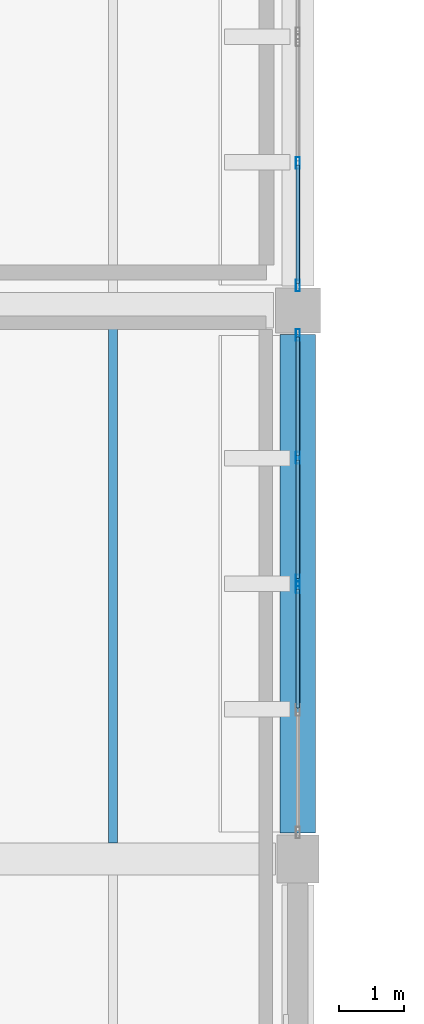
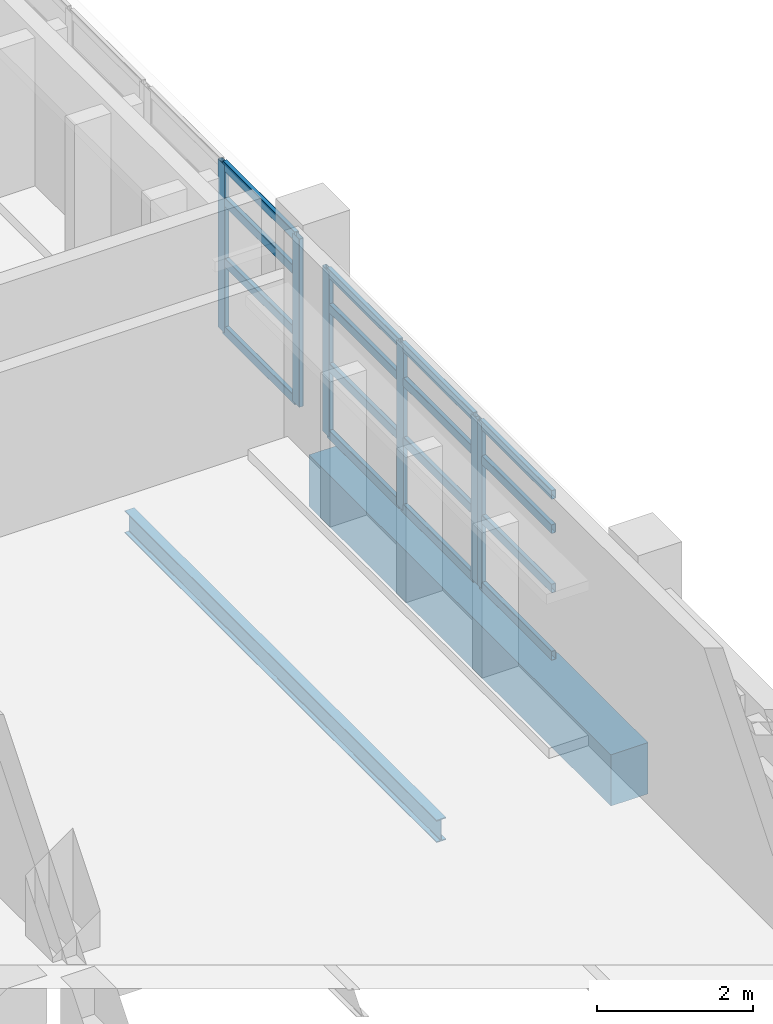
# One storey, part 23 of 75: 22 members, 2 beams, 3 elements without a shape of their own.
"""IFC4 building model written with IfcOpenShell, lengths in metres."""

from ifc_helpers import new_model, si_unit, direction, frame, origin, origin_2d, place, context, subcontext, project, spatial, rectangle, hollow_rectangle, i_section, extrude, material, material_profile, profile_set, type_object, element, aggregate, save


model = new_model("IFC4")

# Units and contexts
model_context = context("Model", 3, precision=1e-05, world=origin(), true_north=direction((0.0, 1.0)))
body_context = subcontext(model_context, "Body", "Model", "MODEL_VIEW")
ifc_project = project(units=[si_unit("LENGTHUNIT", "METRE"), si_unit("AREAUNIT", "SQUARE_METRE"), si_unit("VOLUMEUNIT", "CUBIC_METRE"), si_unit("PLANEANGLEUNIT", "RADIAN"), si_unit("MASSUNIT", "GRAM", prefix="KILO")], contexts=[model_context])

# Site, building, storey
site_placement = place(None, origin())
site = spatial("IfcSite", under=ifc_project, at=site_placement, CompositionType="ELEMENT")
building_placement = place(site_placement, origin())
building = spatial("IfcBuilding", under=site, at=building_placement, Name="Varnakota Cinema and Media Centre", CompositionType="ELEMENT")
storey_placement = place(building_placement, frame((0.0, 0.0, 8.39990234375)))
storey = spatial("IfcBuildingStorey", under=building, at=storey_placement, Name="L02", CompositionType="ELEMENT", Elevation=8.39990234375)

# Beams
ifc_material_1 = material(Name="Concrete M35", Category="concrete")
ifc_material_profile_1 = material_profile(ifc_material_1, rectangle(XDim=0.550048828125, YDim=0.800048828125, at=origin_2d()), Name="RCB 550x800")
ifc_profile_set_1 = profile_set([ifc_material_profile_1], Name="Concrete M35")
beam_type_1 = type_object("IfcBeamType", Name="BM-RC-550x800", PredefinedType="BEAM", material=ifc_profile_set_1)
beam_1_placement = place(storey_placement, frame((34.39990234375, 44.39990234375, -0.64990234375), z_axis=(0.0, 1.0, 0.0), x_axis=(-1.0, 0.0, 0.0)))
element("IfcBeam", 1, at=beam_1_placement, inside=storey, type_object=beam_type_1, Name="L02 girder E/6-7", PredefinedType="BEAM", context=body_context, shape_type="SweptSolid", body=[
    extrude(rectangle(XDim=0.550048828125, YDim=0.800048828125, at=origin_2d()), origin(), (0.0, 0.0, 1.0), 7.72509765625),
])
ifc_material_2 = material(Name="Structural steel Grade 350 (E350)", Category="steel")
ifc_material_profile_2 = material_profile(ifc_material_2, i_section(OverallWidth=0.139892578125, OverallDepth=0.35009765625, WebThickness=0.008056640625, FlangeThickness=0.01416015625, FilletRadius=0.013916015625, at=origin_2d()), Name="ISMB 350")
ifc_profile_set_2 = profile_set([ifc_material_profile_2], Name="Structural steel Grade 350 (E350)")
beam_type_2 = type_object("IfcBeamType", Name="BM-ST-ISMB350", PredefinedType="JOIST", material=ifc_profile_set_2)
beam_2_placement = place(storey_placement, frame((31.533203125, 44.25, -0.4248046875), z_axis=(0.0, 1.0, 0.0), x_axis=(-1.0, 0.0, 0.0)))
element("IfcBeam", 2, at=beam_2_placement, inside=storey, type_object=beam_type_2, Name="L02 steel joist D-E/6-7 #2", PredefinedType="JOIST", context=body_context, shape_type="SweptSolid", body=[
    extrude(i_section(OverallWidth=0.139892578125, OverallDepth=0.35009765625, WebThickness=0.008056640625, FlangeThickness=0.01416015625, FilletRadius=0.013916015625, at=origin_2d()), origin(), (0.0, 0.0, 1.0), 7.97509765625),
])

# Curtain wall, member
ifc_material_3 = material(Name="Thermally broken anodised aluminium AW-6063", Category="aluminium")
curtain_wall_type_1 = type_object("IfcCurtainWallType", Name="CW-STD-387x258", PredefinedType="USERDEFINED", material=ifc_material_3)
curtain_wall_1_placement = place(storey_placement, origin())
curtain_wall_1 = element("IfcCurtainWall", 3, at=curtain_wall_1_placement, inside=storey, type_object=curtain_wall_type_1, Name="L02 curtain wall CW-L02-V5-E-02-1", ObjectType="UNITISED CURTAIN WALL", PredefinedType="USERDEFINED")
ifc_material_4 = material(Name="Thermally broken anodised aluminium AW-6063", Category="aluminium")
ifc_material_profile_3 = material_profile(ifc_material_4, hollow_rectangle(XDim=0.06494140625, YDim=0.179931640625, WallThickness=0.00390625, InnerFilletRadius=0.00390625, OuterFilletRadius=0.008056640625, at=origin_2d()), Name="AL-MULLION 180x65x4")
ifc_profile_set_3 = profile_set([ifc_material_profile_3], Name="Thermally broken anodised aluminium AW-6063")
member_type_1 = type_object("IfcMemberType", Name="CWM-AL-180", PredefinedType="MULLION", material=ifc_profile_set_3)
member_1_placement = place(storey_placement, frame((34.39990234375, 48.2099609375, 0.0), z_axis=(0.0, 0.0, 1.0), x_axis=(-1.0, 0.0, 0.0)))
member_1 = element("IfcMember", 4, at=member_1_placement, type_object=member_type_1, Name="CW36 mullion 3", PredefinedType="MULLION", context=body_context, shape_type="SweptSolid", body=[
    extrude(hollow_rectangle(XDim=0.06494140625, YDim=0.179931640625, WallThickness=0.00390625, InnerFilletRadius=0.00390625, OuterFilletRadius=0.008056640625, at=origin_2d()), origin(), (0.0, 0.0, 1.0), 2.5751953125),
])

# Curtain wall, members
curtain_wall_2_placement = place(storey_placement, origin())
curtain_wall_2 = element("IfcCurtainWall", 5, at=curtain_wall_2_placement, inside=storey, type_object=curtain_wall_type_1, Name="L02 curtain wall CW-L02-V5-E-02-2", ObjectType="UNITISED CURTAIN WALL", PredefinedType="USERDEFINED")
member_2_placement = place(storey_placement, frame((34.39990234375, 48.31494140625, 0.0), z_axis=(0.0, 0.0, 1.0), x_axis=(-1.0, 0.0, 0.0)))
member_2 = element("IfcMember", 6, at=member_2_placement, type_object=member_type_1, Name="CW36 mullion 1", PredefinedType="MULLION", context=body_context, shape_type="SweptSolid", body=[
    extrude(hollow_rectangle(XDim=0.06494140625, YDim=0.179931640625, WallThickness=0.00390625, InnerFilletRadius=0.00390625, OuterFilletRadius=0.008056640625, at=origin_2d()), origin(), (0.0, 0.0, 1.0), 2.5751953125),
])
member_3_placement = place(storey_placement, frame((34.39990234375, 50.21630859375, 0.0), z_axis=(0.0, 0.0, 1.0), x_axis=(-1.0, 0.0, 0.0)))
member_3 = element("IfcMember", 7, at=member_3_placement, type_object=member_type_1, Name="CW36 mullion 2", PredefinedType="MULLION", context=body_context, shape_type="SweptSolid", body=[
    extrude(hollow_rectangle(XDim=0.06494140625, YDim=0.179931640625, WallThickness=0.00390625, InnerFilletRadius=0.00390625, OuterFilletRadius=0.008056640625, at=origin_2d()), origin(), (0.0, 0.0, 1.0), 2.5751953125),
])
member_4_placement = place(storey_placement, frame((34.39990234375, 52.117431640625, 0.0), z_axis=(0.0, 0.0, 1.0), x_axis=(-1.0, 0.0, 0.0)))
member_4 = element("IfcMember", 8, at=member_4_placement, type_object=member_type_1, Name="CW36 mullion 3", PredefinedType="MULLION", context=body_context, shape_type="SweptSolid", body=[
    extrude(hollow_rectangle(XDim=0.06494140625, YDim=0.179931640625, WallThickness=0.00390625, InnerFilletRadius=0.00390625, OuterFilletRadius=0.008056640625, at=origin_2d()), origin(), (0.0, 0.0, 1.0), 2.5751953125),
])

ifc_material_5 = material(Name="Thermally broken anodised aluminium AW-6063", Category="aluminium")
curtain_wall_type_2 = type_object("IfcCurtainWallType", Name="CW-STD-387x262", PredefinedType="USERDEFINED", material=ifc_material_5)
curtain_wall_3_placement = place(storey_placement, origin())
curtain_wall_3 = element("IfcCurtainWall", 9, at=curtain_wall_3_placement, inside=storey, type_object=curtain_wall_type_2, Name="L02 curtain wall CW-L02-V5-E-03-1", ObjectType="UNITISED CURTAIN WALL", PredefinedType="USERDEFINED")
member_5_placement = place(storey_placement, frame((34.39990234375, 52.882568359375, 0.0), z_axis=(0.0, 0.0, 1.0), x_axis=(-1.0, 0.0, 0.0)))
member_5 = element("IfcMember", 10, at=member_5_placement, type_object=member_type_1, Name="CW37 mullion 1", PredefinedType="MULLION", context=body_context, shape_type="SweptSolid", body=[
    extrude(hollow_rectangle(XDim=0.06494140625, YDim=0.179931640625, WallThickness=0.00390625, InnerFilletRadius=0.00390625, OuterFilletRadius=0.008056640625, at=origin_2d()), origin(), (0.0, 0.0, 1.0), 2.625),
])
member_6_placement = place(storey_placement, frame((34.39990234375, 54.78369140625, 0.0), z_axis=(0.0, 0.0, 1.0), x_axis=(-1.0, 0.0, 0.0)))
member_6 = element("IfcMember", 11, at=member_6_placement, type_object=member_type_1, Name="CW37 mullion 2", PredefinedType="MULLION", context=body_context, shape_type="SweptSolid", body=[
    extrude(hollow_rectangle(XDim=0.06494140625, YDim=0.179931640625, WallThickness=0.00390625, InnerFilletRadius=0.00390625, OuterFilletRadius=0.008056640625, at=origin_2d()), origin(), (0.0, 0.0, 1.0), 2.625),
])

# Member
ifc_material_6 = material(Name="Thermally broken anodised aluminium AW-6063", Category="aluminium")
ifc_material_profile_4 = material_profile(ifc_material_6, hollow_rectangle(XDim=0.06494140625, YDim=0.139892578125, WallThickness=0.00390625, InnerFilletRadius=0.00390625, OuterFilletRadius=0.008056640625, at=origin_2d()), Name="AL-TRANSOM 140x65x4")
ifc_profile_set_4 = profile_set([ifc_material_profile_4], Name="Thermally broken anodised aluminium AW-6063")
member_type_2 = type_object("IfcMemberType", Name="CWT-AL-140", PredefinedType="USERDEFINED", material=ifc_profile_set_4)
member_7_placement = place(storey_placement, frame((34.39990234375, 46.34130859375, 0.03271484375), z_axis=(0.0, 1.0, 0.0), x_axis=(-1.0, 0.0, 0.0)))
member_7 = element("IfcMember", 12, at=member_7_placement, type_object=member_type_2, Name="CW36 transom 2.1", ObjectType="TRANSOM", PredefinedType="USERDEFINED", context=body_context, shape_type="SweptSolid", body=[
    extrude(hollow_rectangle(XDim=0.06494140625, YDim=0.139892578125, WallThickness=0.00390625, InnerFilletRadius=0.00390625, OuterFilletRadius=0.008056640625, at=origin_2d()), origin(), (0.0, 0.0, 1.0), 1.836181640625),
])

member_8_placement = place(storey_placement, frame((34.39990234375, 46.34130859375, 1.08154296875), z_axis=(0.0, 1.0, 0.0), x_axis=(-1.0, 0.0, 0.0)))
member_8 = element("IfcMember", 13, at=member_8_placement, type_object=member_type_2, Name="CW36 transom 2.2", ObjectType="TRANSOM", PredefinedType="USERDEFINED", context=body_context, shape_type="SweptSolid", body=[
    extrude(hollow_rectangle(XDim=0.06494140625, YDim=0.139892578125, WallThickness=0.00390625, InnerFilletRadius=0.00390625, OuterFilletRadius=0.008056640625, at=origin_2d()), origin(), (0.0, 0.0, 1.0), 1.836181640625),
])

member_9_placement = place(storey_placement, frame((34.39990234375, 46.34130859375, 2.008544921875), z_axis=(0.0, 1.0, 0.0), x_axis=(-1.0, 0.0, 0.0)))
member_9 = element("IfcMember", 14, at=member_9_placement, type_object=member_type_2, Name="CW36 transom 2.3", ObjectType="TRANSOM", PredefinedType="USERDEFINED", context=body_context, shape_type="SweptSolid", body=[
    extrude(hollow_rectangle(XDim=0.06494140625, YDim=0.139892578125, WallThickness=0.00390625, InnerFilletRadius=0.00390625, OuterFilletRadius=0.008056640625, at=origin_2d()), origin(), (0.0, 0.0, 1.0), 1.836181640625),
])

member_10_placement = place(storey_placement, frame((34.39990234375, 46.34130859375, 2.54248046875), z_axis=(0.0, 1.0, 0.0), x_axis=(-1.0, 0.0, 0.0)))
member_10 = element("IfcMember", 15, at=member_10_placement, type_object=member_type_2, Name="CW36 transom 2.4", ObjectType="TRANSOM", PredefinedType="USERDEFINED", context=body_context, shape_type="SweptSolid", body=[
    extrude(hollow_rectangle(XDim=0.06494140625, YDim=0.139892578125, WallThickness=0.00390625, InnerFilletRadius=0.00390625, OuterFilletRadius=0.008056640625, at=origin_2d()), origin(), (0.0, 0.0, 1.0), 1.836181640625),
])

aggregate(curtain_wall_1, [member_1, member_7, member_8, member_9, member_10])

member_11_placement = place(storey_placement, frame((34.39990234375, 48.347412109375, 0.03271484375), z_axis=(0.0, 1.0, 0.0), x_axis=(-1.0, 0.0, 0.0)))
member_11 = element("IfcMember", 16, at=member_11_placement, type_object=member_type_2, Name="CW36 transom 1.1", ObjectType="TRANSOM", PredefinedType="USERDEFINED", context=body_context, shape_type="SweptSolid", body=[
    extrude(hollow_rectangle(XDim=0.06494140625, YDim=0.139892578125, WallThickness=0.00390625, InnerFilletRadius=0.00390625, OuterFilletRadius=0.008056640625, at=origin_2d()), origin(), (0.0, 0.0, 1.0), 1.83642578125),
])

member_12_placement = place(storey_placement, frame((34.39990234375, 48.347412109375, 1.08154296875), z_axis=(0.0, 1.0, 0.0), x_axis=(-1.0, 0.0, 0.0)))
member_12 = element("IfcMember", 17, at=member_12_placement, type_object=member_type_2, Name="CW36 transom 1.2", ObjectType="TRANSOM", PredefinedType="USERDEFINED", context=body_context, shape_type="SweptSolid", body=[
    extrude(hollow_rectangle(XDim=0.06494140625, YDim=0.139892578125, WallThickness=0.00390625, InnerFilletRadius=0.00390625, OuterFilletRadius=0.008056640625, at=origin_2d()), origin(), (0.0, 0.0, 1.0), 1.83642578125),
])

member_13_placement = place(storey_placement, frame((34.39990234375, 48.347412109375, 2.008544921875), z_axis=(0.0, 1.0, 0.0), x_axis=(-1.0, 0.0, 0.0)))
member_13 = element("IfcMember", 18, at=member_13_placement, type_object=member_type_2, Name="CW36 transom 1.3", ObjectType="TRANSOM", PredefinedType="USERDEFINED", context=body_context, shape_type="SweptSolid", body=[
    extrude(hollow_rectangle(XDim=0.06494140625, YDim=0.139892578125, WallThickness=0.00390625, InnerFilletRadius=0.00390625, OuterFilletRadius=0.008056640625, at=origin_2d()), origin(), (0.0, 0.0, 1.0), 1.83642578125),
])

member_14_placement = place(storey_placement, frame((34.39990234375, 48.347412109375, 2.54248046875), z_axis=(0.0, 1.0, 0.0), x_axis=(-1.0, 0.0, 0.0)))
member_14 = element("IfcMember", 19, at=member_14_placement, type_object=member_type_2, Name="CW36 transom 1.4", ObjectType="TRANSOM", PredefinedType="USERDEFINED", context=body_context, shape_type="SweptSolid", body=[
    extrude(hollow_rectangle(XDim=0.06494140625, YDim=0.139892578125, WallThickness=0.00390625, InnerFilletRadius=0.00390625, OuterFilletRadius=0.008056640625, at=origin_2d()), origin(), (0.0, 0.0, 1.0), 1.83642578125),
])

member_15_placement = place(storey_placement, frame((34.39990234375, 50.248779296875, 0.03271484375), z_axis=(0.0, 1.0, 0.0), x_axis=(-1.0, 0.0, 0.0)))
member_15 = element("IfcMember", 20, at=member_15_placement, type_object=member_type_2, Name="CW36 transom 2.1", ObjectType="TRANSOM", PredefinedType="USERDEFINED", context=body_context, shape_type="SweptSolid", body=[
    extrude(hollow_rectangle(XDim=0.06494140625, YDim=0.139892578125, WallThickness=0.00390625, InnerFilletRadius=0.00390625, OuterFilletRadius=0.008056640625, at=origin_2d()), origin(), (0.0, 0.0, 1.0), 1.836181640625),
])

member_16_placement = place(storey_placement, frame((34.39990234375, 50.248779296875, 1.08154296875), z_axis=(0.0, 1.0, 0.0), x_axis=(-1.0, 0.0, 0.0)))
member_16 = element("IfcMember", 21, at=member_16_placement, type_object=member_type_2, Name="CW36 transom 2.2", ObjectType="TRANSOM", PredefinedType="USERDEFINED", context=body_context, shape_type="SweptSolid", body=[
    extrude(hollow_rectangle(XDim=0.06494140625, YDim=0.139892578125, WallThickness=0.00390625, InnerFilletRadius=0.00390625, OuterFilletRadius=0.008056640625, at=origin_2d()), origin(), (0.0, 0.0, 1.0), 1.836181640625),
])

member_17_placement = place(storey_placement, frame((34.39990234375, 50.248779296875, 2.008544921875), z_axis=(0.0, 1.0, 0.0), x_axis=(-1.0, 0.0, 0.0)))
member_17 = element("IfcMember", 22, at=member_17_placement, type_object=member_type_2, Name="CW36 transom 2.3", ObjectType="TRANSOM", PredefinedType="USERDEFINED", context=body_context, shape_type="SweptSolid", body=[
    extrude(hollow_rectangle(XDim=0.06494140625, YDim=0.139892578125, WallThickness=0.00390625, InnerFilletRadius=0.00390625, OuterFilletRadius=0.008056640625, at=origin_2d()), origin(), (0.0, 0.0, 1.0), 1.836181640625),
])

member_18_placement = place(storey_placement, frame((34.39990234375, 50.248779296875, 2.54248046875), z_axis=(0.0, 1.0, 0.0), x_axis=(-1.0, 0.0, 0.0)))
member_18 = element("IfcMember", 23, at=member_18_placement, type_object=member_type_2, Name="CW36 transom 2.4", ObjectType="TRANSOM", PredefinedType="USERDEFINED", context=body_context, shape_type="SweptSolid", body=[
    extrude(hollow_rectangle(XDim=0.06494140625, YDim=0.139892578125, WallThickness=0.00390625, InnerFilletRadius=0.00390625, OuterFilletRadius=0.008056640625, at=origin_2d()), origin(), (0.0, 0.0, 1.0), 1.836181640625),
])

aggregate(curtain_wall_2, [member_2, member_3, member_4, member_11, member_12, member_13, member_14, member_15, member_16, member_17, member_18])

member_19_placement = place(storey_placement, frame((34.39990234375, 52.9150390625, 0.03271484375), z_axis=(0.0, 1.0, 0.0), x_axis=(-1.0, 0.0, 0.0)))
member_19 = element("IfcMember", 24, at=member_19_placement, type_object=member_type_2, Name="CW37 transom 1.1", ObjectType="TRANSOM", PredefinedType="USERDEFINED", context=body_context, shape_type="SweptSolid", body=[
    extrude(hollow_rectangle(XDim=0.06494140625, YDim=0.139892578125, WallThickness=0.00390625, InnerFilletRadius=0.00390625, OuterFilletRadius=0.008056640625, at=origin_2d()), origin(), (0.0, 0.0, 1.0), 1.836181640625),
])

member_20_placement = place(storey_placement, frame((34.39990234375, 52.9150390625, 1.1025390625), z_axis=(0.0, 1.0, 0.0), x_axis=(-1.0, 0.0, 0.0)))
member_20 = element("IfcMember", 25, at=member_20_placement, type_object=member_type_2, Name="CW37 transom 1.2", ObjectType="TRANSOM", PredefinedType="USERDEFINED", context=body_context, shape_type="SweptSolid", body=[
    extrude(hollow_rectangle(XDim=0.06494140625, YDim=0.139892578125, WallThickness=0.00390625, InnerFilletRadius=0.00390625, OuterFilletRadius=0.008056640625, at=origin_2d()), origin(), (0.0, 0.0, 1.0), 1.836181640625),
])

member_21_placement = place(storey_placement, frame((34.39990234375, 52.9150390625, 2.047607421875), z_axis=(0.0, 1.0, 0.0), x_axis=(-1.0, 0.0, 0.0)))
member_21 = element("IfcMember", 26, at=member_21_placement, type_object=member_type_2, Name="CW37 transom 1.3", ObjectType="TRANSOM", PredefinedType="USERDEFINED", context=body_context, shape_type="SweptSolid", body=[
    extrude(hollow_rectangle(XDim=0.06494140625, YDim=0.139892578125, WallThickness=0.00390625, InnerFilletRadius=0.00390625, OuterFilletRadius=0.008056640625, at=origin_2d()), origin(), (0.0, 0.0, 1.0), 1.836181640625),
])

member_22_placement = place(storey_placement, frame((34.39990234375, 52.9150390625, 2.592529296875), z_axis=(0.0, 1.0, 0.0), x_axis=(-1.0, 0.0, 0.0)))
member_22 = element("IfcMember", 27, at=member_22_placement, type_object=member_type_2, Name="CW37 transom 1.4", ObjectType="TRANSOM", PredefinedType="USERDEFINED", context=body_context, shape_type="SweptSolid", body=[
    extrude(hollow_rectangle(XDim=0.06494140625, YDim=0.139892578125, WallThickness=0.00390625, InnerFilletRadius=0.00390625, OuterFilletRadius=0.008056640625, at=origin_2d()), origin(), (0.0, 0.0, 1.0), 1.836181640625),
])

aggregate(curtain_wall_3, [member_5, member_6, member_19, member_20, member_21, member_22])

save(model, "model.ifc")
